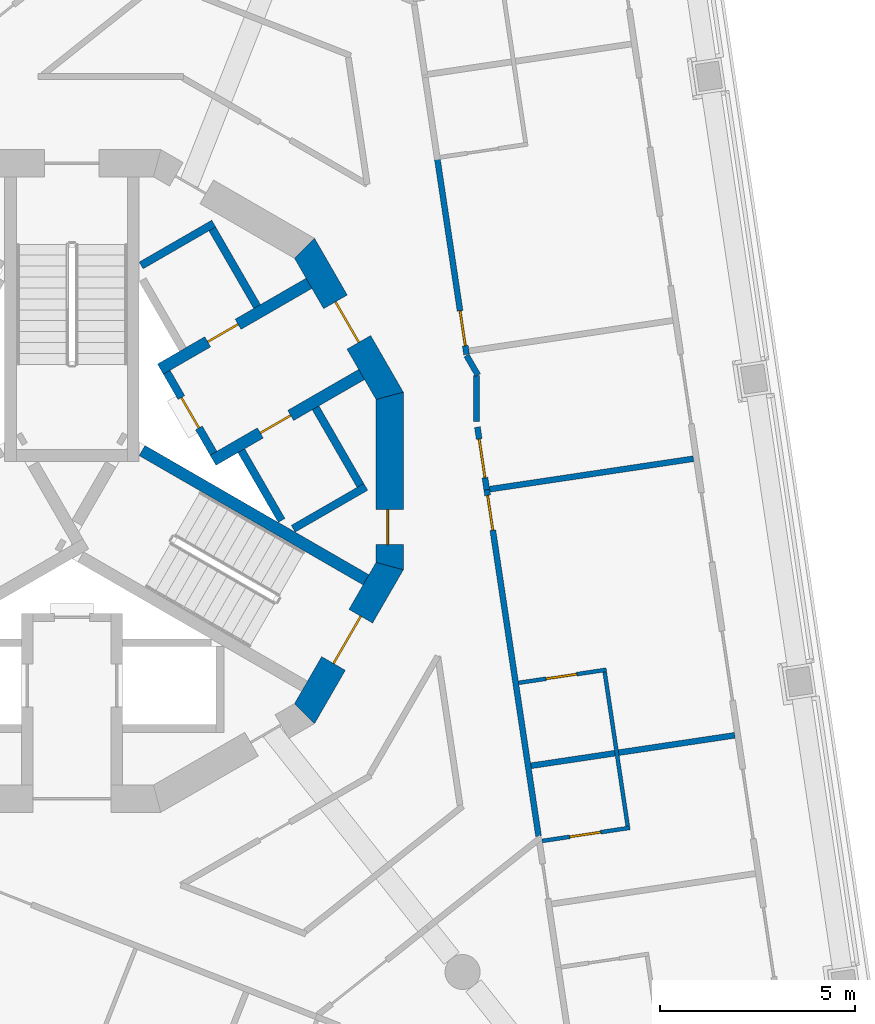
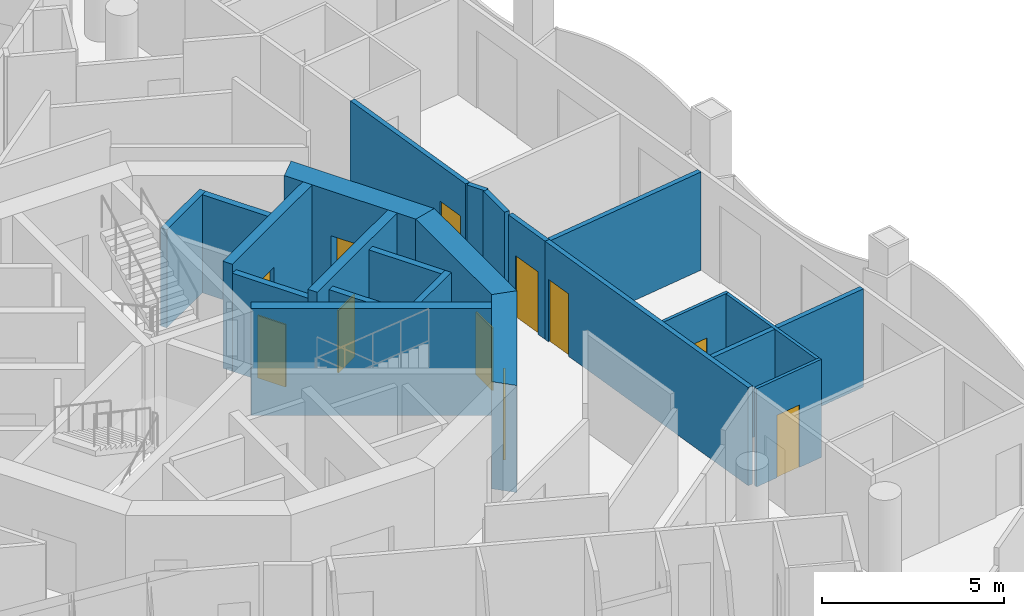
# One storey, part 6 of 16: 22 walls, 11 doors, 11 openings.
"""IFC4 building model written with IfcOpenShell, lengths in metres."""

import ifcopenshell
import ifcopenshell.guid

model = None  # the IFC model being written
_history = None  # IfcOwnerHistory: only IFC2X3 demands one
_inside = {}  # id of a spatial element -> (the spatial element, [elements in it])
_under = {}  # id of a project, library or spatial element -> (it, [spatial elements below it])
_declared = {}  # id of a project -> (the project, [libraries it declares])
_typed = {}  # id of a type object -> (the type object, [elements of that type])
_made_of = {}  # id of a material, layer set ... -> (it, [elements and type objects made of it])


def new_model(schema):
    """Start an empty IFC model of exactly this schema.

    Asked for "IFC4X3", IfcOpenShell would pick the latest addendum, in which some entities
    have other attributes; the version numbers below select the first issue.
    IFC2X3 requires an IfcOwnerHistory on every rooted entity: one is made here for all.
    """
    global model, _history
    if schema == "IFC4X3":
        model = ifcopenshell.file(schema_version=(4, 3, 0, 0))
    else:
        model = ifcopenshell.file(schema=schema)
    _inside.clear()
    _under.clear()
    _declared.clear()
    _typed.clear()
    _made_of.clear()
    _history = None
    if model.schema == "IFC2X3":
        org = make("IfcOrganization", Name="unknown")
        user = make(
            "IfcPersonAndOrganization",
            ThePerson=make("IfcPerson", FamilyName="unknown"),
            TheOrganization=org,
        )
        app = make(
            "IfcApplication",
            ApplicationDeveloper=org,
            Version="unknown",
            ApplicationFullName="unknown",
            ApplicationIdentifier="unknown",
        )
        _history = make(
            "IfcOwnerHistory",
            OwningUser=user,
            OwningApplication=app,
            ChangeAction="ADDED",
            CreationDate=0,
        )
    return model


def make(cls, **values):
    """One entity of the class cls with the attributes given. An attribute that is None is left unset."""
    return model.create_entity(
        cls, **{name: value for name, value in values.items() if value is not None}
    )


def rooted(cls, **values):
    """An entity with a GlobalId (a new one), such as an element, a storey or a relation."""
    return make(cls, GlobalId=ifcopenshell.guid.new(), OwnerHistory=_history, **values)


def si_unit(unit_type, name, prefix=None):
    """IfcSIUnit, for example si_unit("LENGTHUNIT", "METRE", prefix="MILLI")."""
    return make("IfcSIUnit", UnitType=unit_type, Prefix=prefix, Name=name)


def assignment(units):
    """IfcUnitAssignment: the units of a project."""
    return None if units is None else make("IfcUnitAssignment", Units=units)


def point(xyz):
    """IfcCartesianPoint."""
    return None if xyz is None else make("IfcCartesianPoint", Coordinates=xyz)


def direction(xyz):
    """IfcDirection."""
    return None if xyz is None else make("IfcDirection", DirectionRatios=xyz)


def frame(location, z_axis=None, x_axis=None):
    """IfcAxis2Placement3D, a coordinate frame: its origin and axes. An axis left out is left unset."""
    return make(
        "IfcAxis2Placement3D",
        Location=point(location),
        Axis=direction(z_axis),
        RefDirection=direction(x_axis),
    )


def frame_2d(location, x_axis=None):
    """IfcAxis2Placement2D, a coordinate frame in the plane: its origin and x axis."""
    return make(
        "IfcAxis2Placement2D", Location=point(location), RefDirection=direction(x_axis)
    )


def origin():
    """The frame at (0, 0, 0) with its axes left unset."""
    return frame((0.0, 0.0, 0.0))


def place(relative_to, where):
    """IfcLocalPlacement: puts the frame where relative to a parent placement (None: the world)."""
    return make(
        "IfcLocalPlacement", PlacementRelTo=relative_to, RelativePlacement=where
    )


def context(
    kind, dimensions, precision=None, world=None, true_north=None, identifier=None
):
    """IfcGeometricRepresentationContext, for example the 3D "Model" context."""
    return make(
        "IfcGeometricRepresentationContext",
        ContextIdentifier=identifier,
        ContextType=kind,
        CoordinateSpaceDimension=dimensions,
        Precision=precision,
        WorldCoordinateSystem=world,
        TrueNorth=true_north,
    )


def subcontext(parent, identifier, kind, view, scale=None):
    """IfcGeometricRepresentationSubContext, for example "Body" below "Model"."""
    return make(
        "IfcGeometricRepresentationSubContext",
        ContextIdentifier=identifier,
        ContextType=kind,
        ParentContext=parent,
        TargetScale=scale,
        TargetView=view,
    )


def project(units=None, contexts=None):
    """IfcProject with its units and contexts."""
    return rooted(
        "IfcProject",
        Name="project",
        RepresentationContexts=contexts,
        UnitsInContext=assignment(units),
    )


def spatial(cls, under=None, at=None, **own):
    """A site, building, storey or space (cls), placed at a placement, below another one or the project."""
    s = rooted(cls, ObjectPlacement=at, **own)
    if under is not None:
        _under.setdefault(under.id(), (under, []))[1].append(s)
    return s


def polyline(points):
    """IfcPolyline through the points."""
    return make("IfcPolyline", Points=[point(p) for p in points])


def profile(cls, at=None, kind="AREA", **sizes):
    """A parametric profile (cls). Its sizes go by their IFC names, for example OverallWidth=200.0."""
    return make(cls, ProfileType=kind, Position=at, **sizes)


def rectangle(**sizes):
    """IfcRectangleProfileDef."""
    return profile("IfcRectangleProfileDef", **sizes)


def outline(outer, holes=None, kind="AREA"):
    """IfcArbitraryClosedProfileDef: a profile drawn as a closed curve; with holes, ...WithVoids."""
    if holes is None:
        return make("IfcArbitraryClosedProfileDef", ProfileType=kind, OuterCurve=outer)
    return make(
        "IfcArbitraryProfileDefWithVoids",
        ProfileType=kind,
        OuterCurve=outer,
        InnerCurves=holes,
    )


def extrude(swept, where, along, depth):
    """IfcExtrudedAreaSolid: the profile swept, set in the frame where, extruded along a direction by depth."""
    return make(
        "IfcExtrudedAreaSolid",
        SweptArea=swept,
        Position=where,
        ExtrudedDirection=direction(along),
        Depth=depth,
    )


def shape(context_of_items, identifier, shape_type, items):
    """IfcShapeRepresentation: the items that make up one representation, for example the "Body"."""
    return make(
        "IfcShapeRepresentation",
        ContextOfItems=context_of_items,
        RepresentationIdentifier=identifier,
        RepresentationType=shape_type,
        Items=items,
    )


def material(Name=None, Category=None):
    """IfcMaterial."""
    return make("IfcMaterial", Name=Name, Category=Category)


def layer(
    of_material, thickness, ventilated=None, Name=None, Category=None, Priority=None
):
    """IfcMaterialLayer: one layer of a wall or slab, of a material (None: an air gap)."""
    return make(
        "IfcMaterialLayer",
        Material=of_material,
        LayerThickness=thickness,
        IsVentilated=ventilated,
        Name=Name,
        Category=Category,
        Priority=Priority,
    )


def layer_set(layers, Name=None):
    """IfcMaterialLayerSet."""
    return make("IfcMaterialLayerSet", MaterialLayers=layers, LayerSetName=Name)


def made_of(thing, what):
    """Note that an element or type object is made of a material, layer set ...; save() writes the relation."""
    if what is not None:
        _made_of.setdefault(what.id(), (what, []))[1].append(thing)
    return thing


def type_object(cls, material=None, **own):
    """A type object (cls), such as IfcWallType, which elements share."""
    return made_of(rooted(cls, **own), material)


def element(
    cls,
    number,
    at=None,
    inside=None,
    cuts=None,
    type_object=None,
    material=None,
    context=None,
    identifier="Body",
    shape_type=None,
    held_by="IfcProductDefinitionShape",
    body=None,
    shapes=None,
    **own,
):
    """One element of the class cls, such as IfcWall. Its Tag is "e" and its number.

    at: its placement. inside: the storey or other place that contains it. cuts: it is an
    opening in that element (IfcRelVoidsElement). A single representation is given by context,
    identifier, shape_type and body (its items); several are given by shapes. held_by: the class
    of the entity that holds the representations. save() writes the other relations.
    """
    e = rooted(cls, Tag="e%d" % number, ObjectPlacement=at, **own)
    if body is not None:
        shapes = [shape(context, identifier, shape_type, body)]
    if shapes is not None:
        e.Representation = make(held_by, Representations=shapes)
    if inside is not None:
        _inside.setdefault(inside.id(), (inside, []))[1].append(e)
    if cuts is not None:
        rooted(
            "IfcRelVoidsElement", RelatingBuildingElement=cuts, RelatedOpeningElement=e
        )
    if type_object is not None:
        _typed.setdefault(type_object.id(), (type_object, []))[1].append(e)
    return made_of(e, material)


def fill(opening, filler):
    """IfcRelFillsElement: the door or window that sits in an opening."""
    return rooted(
        "IfcRelFillsElement",
        RelatingOpeningElement=opening,
        RelatedBuildingElement=filler,
    )


def aggregate(whole, parts):
    """IfcRelAggregates: a whole, such as a stair, and the parts it consists of."""
    return rooted("IfcRelAggregates", RelatingObject=whole, RelatedObjects=parts)


def save(model, path):
    """Write the relations noted so far, then the file.

    IfcRelAggregates (storeys below a building ...), IfcRelContainedInSpatialStructure (elements
    in a storey), IfcRelDefinesByType, IfcRelAssociatesMaterial and IfcRelDeclares: one each for
    every whole, place, type object, material and project.
    """
    for whole, parts in _under.values():
        aggregate(whole, parts)
    for where, things in _inside.values():
        rooted(
            "IfcRelContainedInSpatialStructure",
            RelatedElements=things,
            RelatingStructure=where,
        )
    for kind, things in _typed.values():
        rooted("IfcRelDefinesByType", RelatedObjects=things, RelatingType=kind)
    for what, things in _made_of.values():
        rooted("IfcRelAssociatesMaterial", RelatedObjects=things, RelatingMaterial=what)
    for by, libraries in _declared.values():
        rooted("IfcRelDeclares", RelatingContext=by, RelatedDefinitions=libraries)
    model.write(path)


model = new_model("IFC4")

# Units and contexts
model_context = context("Model", 3, precision=1e-05, world=origin(), true_north=direction((0.0, 1.0)))
body_context = subcontext(model_context, "Body", "Model", "MODEL_VIEW")
ifc_project = project(units=[si_unit("LENGTHUNIT", "METRE"), si_unit("AREAUNIT", "SQUARE_METRE"), si_unit("VOLUMEUNIT", "CUBIC_METRE"), si_unit("PLANEANGLEUNIT", "RADIAN"), si_unit("MASSUNIT", "GRAM", prefix="KILO")], contexts=[model_context])

# Site, building, storey
site_placement = place(None, origin())
site = spatial("IfcSite", under=ifc_project, at=site_placement, CompositionType="ELEMENT")
building_placement = place(site_placement, origin())
building = spatial("IfcBuilding", under=site, at=building_placement, Name="Trine Commons Tower", CompositionType="ELEMENT")
storey_placement = place(building_placement, frame((0.0, 0.0, 201.60009765625)))
storey = spatial("IfcBuildingStorey", under=building, at=storey_placement, Name="L52", CompositionType="ELEMENT", Elevation=201.60009765625)

# Wall, opening, door
ifc_material_1 = material(Name="Fire-rated gypsum shaft wall system")
ifc_layer_1 = layer(ifc_material_1, 0.199951171875)
ifc_layer_set_1 = layer_set([ifc_layer_1], Name="Fire-rated gypsum shaft wall system")
wall_type_1 = type_object("IfcWallType", Name="Lobby end wall 200 mm, EI 120", PredefinedType="PARTITIONING", material=ifc_layer_set_1)
wall_1_placement = place(storey_placement, frame((83.631103515625, 63.2109375, 0.0), z_axis=(0.0, 0.0, 1.0), x_axis=(-0.50012165622, 0.865955154139, 0.0)))
wall_1 = element("IfcWall", 1, at=wall_1_placement, inside=storey, type_object=wall_type_1, Name="Lobby end wall L52", PredefinedType="PARTITIONING", context=body_context, shape_type="SweptSolid", body=[
    extrude(rectangle(XDim=2.39990234375, YDim=0.199951171875, at=frame_2d((1.199951171875, 0.0))), origin(), (0.0, 0.0, 1.0), 3.2998046875),
])
opening_1_placement = place(wall_1_placement, frame((0.749755859375, 0.0, 0.0)))
opening_1 = element("IfcOpeningElement", 2, at=opening_1_placement, cuts=wall_1, Name="Opening K16.05", PredefinedType="OPENING", context=body_context, shape_type="SweptSolid", body=[
    extrude(rectangle(XDim=0.89990234375, YDim=2.10009765625, at=frame_2d((0.449951171875, 1.050048828125))), frame((0.0, 0.10986328125, 0.0), z_axis=(0.0, -1.0, 0.0), x_axis=(1.0, 0.0, 0.0)), (0.0, 0.0, 1.0), 0.219970703125),
])
ifc_material_2 = material(Name="Steel door leaf, fire-rated", Category="steel")
door_type_1 = type_object("IfcDoorType", Name="Riser access door, single leaf 900 x 2100, FD60", OperationType="SINGLE_SWING_LEFT", PredefinedType="DOOR", material=ifc_material_2)
door_1_placement = place(opening_1_placement, frame((0.89990234375, 0.0, 0.0), z_axis=(0.0, 0.0, 1.0), x_axis=(-1.0, 0.0, 0.0)))
door_1 = element("IfcDoor", 3, at=door_1_placement, inside=storey, type_object=door_type_1, Name="Riser door, Electrical riser L52", OperationType="SINGLE_SWING_LEFT", OverallHeight=2.10009765625, OverallWidth=0.89990234375, PredefinedType="DOOR", context=body_context, shape_type="SweptSolid", body=[
    extrude(rectangle(XDim=0.89990234375, YDim=2.10009765625, at=frame_2d((0.449951171875, 1.050048828125))), frame((0.0, 0.02490234375, 0.0), z_axis=(0.0, -1.0, 0.0), x_axis=(1.0, 0.0, 0.0)), (0.0, 0.0, 1.0), 0.050048828125),
])
fill(opening_1, door_1)

ifc_material_3 = material(Name="Concrete C60/75", Category="concrete")
ifc_layer_2 = layer(ifc_material_3, 0.300048828125)
ifc_layer_set_2 = layer_set([ifc_layer_2], Name="Concrete C60/75")
wall_type_2 = type_object("IfcWallType", Name="RC shear wall 300 mm, C60/75", PredefinedType="SHEAR", material=ifc_layer_set_2)
wall_2_placement = place(storey_placement, frame((82.26904296875, 65.368896484375, 0.0), z_axis=(0.0, 0.0, 1.0), x_axis=(0.866035918664, 0.499981787252, 0.0)))
wall_2 = element("IfcWall", 4, at=wall_2_placement, inside=storey, type_object=wall_type_2, Name="Core cross wall SWC-05 L52", PredefinedType="SHEAR", context=body_context, shape_type="SweptSolid", body=[
    extrude(rectangle(XDim=4.400634765625, YDim=0.300048828125, at=frame_2d((2.2001953125, 0.0))), origin(), (0.0, 0.0, 1.0), 3.599853515625),
])
opening_2_placement = place(wall_2_placement, frame((1.400390625, 0.0, 0.0)))
opening_2 = element("IfcOpeningElement", 5, at=opening_2_placement, cuts=wall_2, Name="Opening K16.10", PredefinedType="OPENING", context=body_context, shape_type="SweptSolid", body=[
    extrude(rectangle(XDim=0.89990234375, YDim=2.10009765625, at=frame_2d((0.449951171875, 1.050048828125))), frame((0.0, 0.159912109375, 0.0), z_axis=(0.0, -1.0, 0.0), x_axis=(1.0, 0.0, 0.0)), (0.0, 0.0, 1.0), 0.320068359375),
])
door_type_2 = type_object("IfcDoorType", Name="Core room door, single leaf 900 x 2100, FD30S", OperationType="SINGLE_SWING_LEFT", PredefinedType="DOOR", material=ifc_material_2)
door_2_placement = place(opening_2_placement, origin())
door_2 = element("IfcDoor", 6, at=door_2_placement, inside=storey, type_object=door_type_2, Name="Door to Pantry L52", OperationType="SINGLE_SWING_LEFT", OverallHeight=2.10009765625, OverallWidth=0.89990234375, PredefinedType="DOOR", context=body_context, shape_type="SweptSolid", body=[
    extrude(rectangle(XDim=0.89990234375, YDim=2.10009765625, at=frame_2d((0.449951171875, 1.050048828125))), frame((0.0, 0.02490234375, 0.0), z_axis=(0.0, -1.0, 0.0), x_axis=(1.0, 0.0, 0.0)), (0.0, 0.0, 1.0), 0.050048828125),
])
fill(opening_2, door_2)

wall_3_placement = place(storey_placement, frame((83.618896484375, 63.031005859375, 0.0), z_axis=(0.0, 0.0, 1.0), x_axis=(0.866059941101, 0.499940174841, 0.0)))
wall_3 = element("IfcWall", 7, at=wall_3_placement, inside=storey, type_object=wall_type_2, Name="Core cross wall SWC-06 L52", PredefinedType="SHEAR", context=body_context, shape_type="SweptSolid", body=[
    extrude(rectangle(XDim=4.400390625, YDim=0.300048828125, at=frame_2d((2.2001953125, 0.0))), origin(), (0.0, 0.0, 1.0), 3.599853515625),
])
opening_3_placement = place(wall_3_placement, frame((1.400390625, 0.0, 0.0)))
opening_3 = element("IfcOpeningElement", 8, at=opening_3_placement, cuts=wall_3, Name="Opening K16.11", PredefinedType="OPENING", context=body_context, shape_type="SweptSolid", body=[
    extrude(rectangle(XDim=0.89990234375, YDim=2.10009765625, at=frame_2d((0.449951171875, 1.050048828125))), frame((0.0, 0.159912109375, 0.0), z_axis=(0.0, -1.0, 0.0), x_axis=(1.0, 0.0, 0.0)), (0.0, 0.0, 1.0), 0.320068359375),
])
door_3_placement = place(opening_3_placement, frame((0.89990234375, 0.0, 0.0), z_axis=(0.0, 0.0, 1.0), x_axis=(-1.0, 0.0, 0.0)))
door_3 = element("IfcDoor", 9, at=door_3_placement, inside=storey, type_object=door_type_2, Name="Door to Comms room L52", OperationType="SINGLE_SWING_LEFT", OverallHeight=2.10009765625, OverallWidth=0.89990234375, PredefinedType="DOOR", context=body_context, shape_type="SweptSolid", body=[
    extrude(rectangle(XDim=0.89990234375, YDim=2.10009765625, at=frame_2d((0.449951171875, 1.050048828125))), frame((0.0, 0.02490234375, 0.0), z_axis=(0.0, -1.0, 0.0), x_axis=(1.0, 0.0, 0.0)), (0.0, 0.0, 1.0), 0.050048828125),
])
fill(opening_3, door_3)

# Wall
wall_4_placement = place(storey_placement, frame((81.800048828125, 63.280029296875, 0.0), z_axis=(0.0, 0.0, 1.0), x_axis=(0.866009627307, -0.500027324665, 0.0)))
element("IfcWall", 10, at=wall_4_placement, inside=storey, type_object=wall_type_2, Name="Core cross wall SWC-18 L52", PredefinedType="SHEAR", context=body_context, shape_type="SweptSolid", body=[
    extrude(rectangle(XDim=6.631591796875, YDim=0.300048828125, at=frame_2d((3.31591796875, 0.0))), origin(), (0.0, 0.0, 1.0), 3.599853515625),
])

# Wall, opening, door
ifc_layer_3 = layer(ifc_material_3, 0.699951171875)
ifc_layer_set_3 = layer_set([ifc_layer_3], Name="Concrete C60/75")
wall_type_3 = type_object("IfcWallType", Name="RC shear wall 700 mm, C60/75", PredefinedType="SHEAR", material=ifc_layer_set_3)
wall_5_placement = place(storey_placement, frame((88.150146484375, 60.222412109375, 0.0), z_axis=(0.0, 0.0, 1.0), x_axis=(0.0, 1.0, 0.0)))
wall_5 = element("IfcWall", 11, at=wall_5_placement, inside=storey, type_object=wall_type_3, Name="Core wall CWF-01 L52", PredefinedType="SHEAR", context=body_context, shape_type="SweptSolid", body=[
    extrude(outline(polyline([(0.0, -0.35009765625), (4.55517578125, -0.35009765625), (4.36767578125, 0.35009765625), (0.1875, 0.35009765625), (0.0, -0.35009765625)])), origin(), (0.0, 0.0, 1.0), 3.599853515625),
])
opening_4_placement = place(wall_5_placement, frame((0.6416015625, 0.0, 0.0)))
opening_4 = element("IfcOpeningElement", 12, at=opening_4_placement, cuts=wall_5, Name="Opening K16.17", PredefinedType="OPENING", context=body_context, shape_type="SweptSolid", body=[
    extrude(rectangle(XDim=0.89990234375, YDim=2.10009765625, at=frame_2d((0.449951171875, 1.050048828125))), frame((0.0, 0.35986328125, 0.0), z_axis=(0.0, -1.0, 0.0), x_axis=(1.0, 0.0, 0.0)), (0.0, 0.0, 1.0), 0.719970703125),
])
door_4_placement = place(opening_4_placement, origin())
door_4 = element("IfcDoor", 13, at=door_4_placement, inside=storey, type_object=door_type_2, Name="Door to Accessible WC L52", OperationType="SINGLE_SWING_LEFT", OverallHeight=2.10009765625, OverallWidth=0.89990234375, PredefinedType="DOOR", context=body_context, shape_type="SweptSolid", body=[
    extrude(rectangle(XDim=0.89990234375, YDim=2.10009765625, at=frame_2d((0.449951171875, 1.050048828125))), frame((0.0, 0.0751953125, 0.0), z_axis=(0.0, -1.0, 0.0), x_axis=(1.0, 0.0, 0.0)), (0.0, 0.0, 1.0), 0.050048828125),
])
fill(opening_4, door_4)

wall_6_placement = place(storey_placement, frame((88.197021484375, 64.6025390625, 0.0), z_axis=(0.0, 0.0, 1.0), x_axis=(-0.499983800959, 0.866034756103, 0.0)))
wall_6 = element("IfcWall", 14, at=wall_6_placement, inside=storey, type_object=wall_type_3, Name="Core wall CWF-02 L52", PredefinedType="SHEAR", context=body_context, shape_type="SweptSolid", body=[
    extrude(outline(polyline([(0.0, -0.35009765625), (4.55517578125, -0.35009765625), (4.36767578125, 0.35009765625), (0.1875, 0.35009765625), (0.0, -0.35009765625)])), origin(), (0.0, 0.0, 1.0), 3.599853515625),
])
opening_5_placement = place(wall_6_placement, frame((1.677490234375, 0.0, 0.0)))
opening_5 = element("IfcOpeningElement", 15, at=opening_5_placement, cuts=wall_6, Name="Opening K16.04", PredefinedType="OPENING", context=body_context, shape_type="SweptSolid", body=[
    extrude(rectangle(XDim=1.199951171875, YDim=2.10009765625, at=frame_2d((0.60009765625, 1.050048828125))), frame((0.0, 0.35986328125, 0.0), z_axis=(0.0, -1.0, 0.0), x_axis=(1.0, 0.0, 0.0)), (0.0, 0.0, 1.0), 0.719970703125),
])
ifc_material_4 = material(Name="Steel door leaves, fire-rated", Category="steel")
door_type_3 = type_object("IfcDoorType", Name="Lobby door, double leaf 1200 x 2100, FD60", OperationType="DOUBLE_DOOR_SINGLE_SWING", PredefinedType="DOOR", material=ifc_material_4)
door_5_placement = place(opening_5_placement, origin())
door_5 = element("IfcDoor", 16, at=door_5_placement, inside=storey, type_object=door_type_3, Name="Lobby door, Core lounge L52", OperationType="DOUBLE_DOOR_SINGLE_SWING", OverallHeight=2.10009765625, OverallWidth=1.199951171875, PredefinedType="DOOR", context=body_context, shape_type="SweptSolid", body=[
    extrude(rectangle(XDim=1.199951171875, YDim=2.10009765625, at=frame_2d((0.60009765625, 1.050048828125))), frame((0.0, 0.02490234375, 0.0), z_axis=(0.0, -1.0, 0.0), x_axis=(1.0, 0.0, 0.0)), (0.0, 0.0, 1.0), 0.050048828125),
])
fill(opening_5, door_5)

wall_7_placement = place(storey_placement, frame((85.91943359375, 56.452392578125, 0.0), z_axis=(0.0, 0.0, 1.0), x_axis=(0.499983800959, 0.866034756103, 0.0)))
wall_7 = element("IfcWall", 17, at=wall_7_placement, inside=storey, type_object=wall_type_3, Name="Core wall CWF-12 L52", PredefinedType="SHEAR", context=body_context, shape_type="SweptSolid", body=[
    extrude(outline(polyline([(0.0, -0.35009765625), (4.55517578125, -0.35009765625), (4.36767578125, 0.35009765625), (0.1875, 0.35009765625), (0.0, -0.35009765625)])), origin(), (0.0, 0.0, 1.0), 3.599853515625),
])
opening_6_placement = place(wall_7_placement, frame((1.577392578125, 0.0, 0.0)))
opening_6 = element("IfcOpeningElement", 18, at=opening_6_placement, cuts=wall_7, Name="Opening K16.03", PredefinedType="OPENING", context=body_context, shape_type="SweptSolid", body=[
    extrude(rectangle(XDim=1.39990234375, YDim=2.10009765625, at=frame_2d((0.699951171875, 1.050048828125))), frame((0.0, 0.35986328125, 0.0), z_axis=(0.0, -1.0, 0.0), x_axis=(1.0, 0.0, 0.0)), (0.0, 0.0, 1.0), 0.719970703125),
])
door_type_4 = type_object("IfcDoorType", Name="Stair door, double leaf 1400 x 2100, FD90", OperationType="DOUBLE_DOOR_SINGLE_SWING", PredefinedType="DOOR", material=ifc_material_4)
door_6_placement = place(opening_6_placement, origin())
door_6 = element("IfcDoor", 19, at=door_6_placement, inside=storey, type_object=door_type_4, Name="Stair door to Exit stair ST3C L52", OperationType="DOUBLE_DOOR_SINGLE_SWING", OverallHeight=2.10009765625, OverallWidth=1.39990234375, PredefinedType="DOOR", context=body_context, shape_type="SweptSolid", body=[
    extrude(rectangle(XDim=1.39990234375, YDim=2.10009765625, at=frame_2d((0.699951171875, 1.050048828125))), frame((0.0, 0.02490234375, 0.0), z_axis=(0.0, -1.0, 0.0), x_axis=(1.0, 0.0, 0.0)), (0.0, 0.0, 1.0), 0.050048828125),
])
fill(opening_6, door_6)

# Walls
ifc_layer_4 = layer(ifc_material_1, 0.199951171875)
ifc_layer_set_4 = layer_set([ifc_layer_4], Name="Fire-rated gypsum shaft wall system")
wall_type_4 = type_object("IfcWallType", Name="Shaft wall 200 mm, EI 120", PredefinedType="PARTITIONING", material=ifc_layer_set_4)
wall_8_placement = place(storey_placement, frame((81.77490234375, 68.028076171875, 0.0), z_axis=(0.0, 0.0, 1.0), x_axis=(0.866130725101, 0.499817533742, 0.0)))
element("IfcWall", 20, at=wall_8_placement, inside=storey, type_object=wall_type_4, Name="Shaft wall L52", PredefinedType="PARTITIONING", context=body_context, shape_type="SweptSolid", body=[
    extrude(rectangle(XDim=2.148681640625, YDim=0.199951171875, at=frame_2d((1.07421875, 0.0))), origin(), (0.0, 0.0, 1.0), 3.2998046875),
])
wall_9_placement = place(storey_placement, frame((84.343994140625, 63.27587890625, 0.0), z_axis=(0.0, 0.0, 1.0), x_axis=(0.500271688072, -0.86586848777, 0.0)))
element("IfcWall", 21, at=wall_9_placement, inside=storey, type_object=wall_type_4, Name="Shaft wall L52", PredefinedType="PARTITIONING", context=body_context, shape_type="SweptSolid", body=[
    extrude(rectangle(XDim=2.064697265625, YDim=0.199951171875, at=frame_2d((1.0322265625, 0.0))), origin(), (0.0, 0.0, 1.0), 3.2998046875),
])
wall_10_placement = place(storey_placement, frame((84.7490234375, 66.97412109375, 0.0), z_axis=(0.0, 0.0, 1.0), x_axis=(-0.500136062276, 0.86594683394, 0.0)))
element("IfcWall", 22, at=wall_10_placement, inside=storey, type_object=wall_type_4, Name="Shaft wall L52", PredefinedType="PARTITIONING", context=body_context, shape_type="SweptSolid", body=[
    extrude(rectangle(XDim=2.299072265625, YDim=0.199951171875, at=frame_2d((1.1494140625, 0.0))), origin(), (0.0, 0.0, 1.0), 3.2998046875),
])
wall_11_placement = place(storey_placement, frame((85.675048828125, 61.27392578125, 0.0), z_axis=(0.0, 0.0, 1.0), x_axis=(0.866102336459, 0.499866725018, 0.0)))
element("IfcWall", 23, at=wall_11_placement, inside=storey, type_object=wall_type_4, Name="Shaft wall L52", PredefinedType="PARTITIONING", context=body_context, shape_type="SweptSolid", body=[
    extrude(rectangle(XDim=2.1484375, YDim=0.199951171875, at=frame_2d((1.07421875, 0.0))), origin(), (0.0, 0.0, 1.0), 3.2998046875),
])
wall_12_placement = place(storey_placement, frame((86.2490234375, 64.3759765625, 0.0), z_axis=(0.0, 0.0, 1.0), x_axis=(0.500136062276, -0.86594683394, 0.0)))
element("IfcWall", 24, at=wall_12_placement, inside=storey, type_object=wall_type_4, Name="Shaft wall L52", PredefinedType="PARTITIONING", context=body_context, shape_type="SweptSolid", body=[
    extrude(rectangle(XDim=2.299072265625, YDim=0.199951171875, at=frame_2d((1.1494140625, 0.0))), origin(), (0.0, 0.0, 1.0), 3.2998046875),
])

# Wall, opening, door
ifc_material_5 = material(Name="Gypsum plasterboard on steel stud", Category="steel")
ifc_layer_5 = layer(ifc_material_5, 0.14990234375)
ifc_layer_set_5 = layer_set([ifc_layer_5], Name="Gypsum plasterboard on steel stud")
wall_type_5 = type_object("IfcWallType", Name="Unit and corridor wall 150 mm, EI 60", PredefinedType="PARTITIONING", material=ifc_layer_set_5)
wall_13_placement = place(storey_placement, frame((89.366943359375, 70.794921875, 0.0), z_axis=(0.0, 0.0, 1.0), x_axis=(0.147912499189, -0.989000451256, 0.0)))
wall_13 = element("IfcWall", 25, at=wall_13_placement, inside=storey, type_object=wall_type_5, Name="Partition 101", PredefinedType="PARTITIONING", context=body_context, shape_type="SweptSolid", body=[
    extrude(rectangle(XDim=5.105224609375, YDim=0.14990234375, at=frame_2d((2.552734375, 0.0))), origin(), (0.0, 0.0, 1.0), 3.2998046875),
])
opening_7_placement = place(wall_13_placement, frame((3.976318359375, 0.0, 0.0)))
opening_7 = element("IfcOpeningElement", 26, at=opening_7_placement, cuts=wall_13, Name="Opening D-6A15", PredefinedType="OPENING", context=body_context, shape_type="SweptSolid", body=[
    extrude(rectangle(XDim=0.89990234375, YDim=2.10009765625, at=frame_2d((0.449951171875, 1.050048828125))), frame((0.0, 0.0849609375, 0.0), z_axis=(0.0, -1.0, 0.0), x_axis=(1.0, 0.0, 0.0)), (0.0, 0.0, 1.0), 0.169921875),
])
ifc_material_6 = material(Name="Timber fire door set", Category="wood")
door_type_5 = type_object("IfcDoorType", Name="Bedroom door 900 x 2100, FD30S", OperationType="NOTDEFINED", PredefinedType="DOOR", material=ifc_material_6)
door_7_placement = place(opening_7_placement, origin())
door_7 = element("IfcDoor", 27, at=door_7_placement, inside=storey, type_object=door_type_5, Name="Door D-6A15", OperationType="SINGLE_SWING_RIGHT", OverallHeight=2.10009765625, OverallWidth=0.89990234375, PredefinedType="DOOR", context=body_context, shape_type="SweptSolid", body=[
    extrude(rectangle(XDim=0.89990234375, YDim=2.10009765625, at=frame_2d((0.449951171875, 1.050048828125))), frame((0.0, 0.02490234375, 0.0), z_axis=(0.0, -1.0, 0.0), x_axis=(1.0, 0.0, 0.0)), (0.0, 0.0, 1.0), 0.050048828125),
])
fill(opening_7, door_7)

# Walls
wall_14_placement = place(storey_placement, frame((90.12109375, 65.718994140625, 0.0), z_axis=(0.0, 0.0, 1.0), x_axis=(0.500738673164, -0.865598510395, 0.0)))
element("IfcWall", 28, at=wall_14_placement, inside=storey, type_object=wall_type_5, Name="Partition 105", PredefinedType="PARTITIONING", context=body_context, shape_type="SweptSolid", body=[
    extrude(rectangle(XDim=0.58203125, YDim=0.14990234375, at=frame_2d((0.291015625, 0.0))), origin(), (0.0, 0.0, 1.0), 3.2998046875),
])
wall_15_placement = place(storey_placement, frame((90.375, 64.02294921875, 0.0), z_axis=(0.0, 0.0, 1.0), x_axis=(0.0, 1.0, 0.0)))
element("IfcWall", 29, at=wall_15_placement, inside=storey, type_object=wall_type_5, Name="Partition 109", PredefinedType="PARTITIONING", context=body_context, shape_type="SweptSolid", body=[
    extrude(rectangle(XDim=1.18212890625, YDim=0.14990234375, at=frame_2d((0.591064453125, 0.0))), origin(), (0.0, 0.0, 1.0), 3.2998046875),
])

# Wall, opening, door
wall_16_placement = place(storey_placement, frame((90.39990234375, 63.882080078125, 0.0), z_axis=(0.0, 0.0, 1.0), x_axis=(0.147511205878, -0.989060384476, 0.0)))
wall_16 = element("IfcWall", 30, at=wall_16_placement, inside=storey, type_object=wall_type_5, Name="Partition 110", PredefinedType="PARTITIONING", context=body_context, shape_type="SweptSolid", body=[
    extrude(rectangle(XDim=1.626953125, YDim=0.14990234375, at=frame_2d((0.8134765625, 0.0))), origin(), (0.0, 0.0, 1.0), 3.2998046875),
])
opening_8_placement = place(wall_16_placement, frame((0.311279296875, 0.0, 0.0)))
opening_8 = element("IfcOpeningElement", 31, at=opening_8_placement, cuts=wall_16, Name="Opening D-6A16", PredefinedType="OPENING", context=body_context, shape_type="SweptSolid", body=[
    extrude(rectangle(XDim=1.0, YDim=2.10009765625, at=frame_2d((0.5, 1.050048828125))), frame((0.0, 0.0849609375, 0.0), z_axis=(0.0, -1.0, 0.0), x_axis=(1.0, 0.0, 0.0)), (0.0, 0.0, 1.0), 0.169921875),
])
ifc_material_7 = material(Name="Painted timber", Category="wood")
door_type_6 = type_object("IfcDoorType", Name="Amenity room door 1000 x 2100, NOT RATED", OperationType="NOTDEFINED", PredefinedType="DOOR", material=ifc_material_7)
door_8_placement = place(opening_8_placement, origin())
door_8 = element("IfcDoor", 32, at=door_8_placement, inside=storey, type_object=door_type_6, Name="Door D-6A16", OperationType="SINGLE_SWING_LEFT", OverallHeight=2.10009765625, OverallWidth=1.0, PredefinedType="DOOR", context=body_context, shape_type="SweptSolid", body=[
    extrude(rectangle(XDim=1.0, YDim=2.10009765625, at=frame_2d((0.5, 1.050048828125))), frame((0.0, 0.02490234375, 0.0), z_axis=(0.0, -1.0, 0.0), x_axis=(1.0, 0.0, 0.0)), (0.0, 0.0, 1.0), 0.050048828125),
])
fill(opening_8, door_8)

wall_17_placement = place(storey_placement, frame((90.6279296875, 62.355224609375, 0.0), z_axis=(0.0, 0.0, 1.0), x_axis=(0.147851766837, -0.989009532332, 0.0)))
wall_17 = element("IfcWall", 33, at=wall_17_placement, inside=storey, type_object=wall_type_5, Name="Partition 111", PredefinedType="PARTITIONING", context=body_context, shape_type="SweptSolid", body=[
    extrude(rectangle(XDim=9.063720703125, YDim=0.14990234375, at=frame_2d((4.53173828125, 0.0))), origin(), (0.0, 0.0, 1.0), 3.2998046875),
])
opening_9_placement = place(wall_17_placement, frame((0.22900390625, 0.0, 0.0)))
opening_9 = element("IfcOpeningElement", 34, at=opening_9_placement, cuts=wall_17, Name="Opening D-6A17", PredefinedType="OPENING", context=body_context, shape_type="SweptSolid", body=[
    extrude(rectangle(XDim=0.89990234375, YDim=2.10009765625, at=frame_2d((0.449951171875, 1.050048828125))), frame((0.0, 0.0849609375, 0.0), z_axis=(0.0, -1.0, 0.0), x_axis=(1.0, 0.0, 0.0)), (0.0, 0.0, 1.0), 0.169921875),
])
door_9_placement = place(opening_9_placement, origin())
door_9 = element("IfcDoor", 35, at=door_9_placement, inside=storey, type_object=door_type_5, Name="Door D-6A17", OperationType="SINGLE_SWING_LEFT", OverallHeight=2.10009765625, OverallWidth=0.89990234375, PredefinedType="DOOR", context=body_context, shape_type="SweptSolid", body=[
    extrude(rectangle(XDim=0.89990234375, YDim=2.10009765625, at=frame_2d((0.449951171875, 1.050048828125))), frame((0.0, 0.02490234375, 0.0), z_axis=(0.0, -1.0, 0.0), x_axis=(1.0, 0.0, 0.0)), (0.0, 0.0, 1.0), 0.050048828125),
])
fill(opening_9, door_9)

# Walls
for number, where, z_axis, x_axis, name in (
    (36, (90.714111328125, 62.2880859375, 0.0), (0.0, 0.0, 1.0), (0.988994889639, 0.147949681543, 0.0), "Partition 112"),
    (37, (91.774169921875, 55.195068359375, 0.0), (0.0, 0.0, 1.0), (0.98902190879, 0.147768954566, 0.0), "Partition 115"),
):
    element("IfcWall", number, at=place(storey_placement, frame(where, z_axis=z_axis, x_axis=x_axis)), inside=storey, type_object=wall_type_5, Name=name, PredefinedType="PARTITIONING", context=body_context, shape_type="SweptSolid", body=[
        extrude(rectangle(XDim=5.285400390625, YDim=0.14990234375, at=frame_2d((2.642578125, 0.0))), origin(), (0.0, 0.0, 1.0), 3.2998046875),
    ])

# Wall, opening, door
ifc_layer_6 = layer(ifc_material_5, 0.10009765625)
ifc_layer_set_6 = layer_set([ifc_layer_6], Name="Gypsum plasterboard on steel stud")
wall_type_6 = type_object("IfcWallType", Name="Unit partition 100 mm, no rating", PredefinedType="PARTITIONING", material=ifc_layer_set_6)
wall_18_placement = place(storey_placement, frame((91.456298828125, 57.322021484375, 0.0), z_axis=(0.0, 0.0, 1.0), x_axis=(0.989070541656, 0.147443086062, 0.0)))
wall_18 = element("IfcWall", 38, at=wall_18_placement, inside=storey, type_object=wall_type_6, Name="Partition 114", PredefinedType="PARTITIONING", context=body_context, shape_type="SweptSolid", body=[
    extrude(rectangle(XDim=2.275146484375, YDim=0.10009765625, at=frame_2d((1.1376953125, 0.0))), origin(), (0.0, 0.0, 1.0), 3.2998046875),
])
opening_10_placement = place(wall_18_placement, frame((0.712646484375, 0.0, 0.0)))
opening_10 = element("IfcOpeningElement", 39, at=opening_10_placement, cuts=wall_18, Name="Opening D-6A37", PredefinedType="OPENING", context=body_context, shape_type="SweptSolid", body=[
    extrude(rectangle(XDim=0.800048828125, YDim=2.10009765625, at=frame_2d((0.39990234375, 1.050048828125))), frame((0.0, 0.06005859375, 0.0), z_axis=(0.0, -1.0, 0.0), x_axis=(1.0, 0.0, 0.0)), (0.0, 0.0, 1.0), 0.1201171875),
])
door_type_7 = type_object("IfcDoorType", Name="Internal door 800 x 2100, NOT RATED", OperationType="NOTDEFINED", PredefinedType="DOOR", material=ifc_material_7)
door_10_placement = place(opening_10_placement, origin())
door_10 = element("IfcDoor", 40, at=door_10_placement, inside=storey, type_object=door_type_7, Name="Door D-6A37", OperationType="SINGLE_SWING_LEFT", OverallHeight=2.10009765625, OverallWidth=0.800048828125, PredefinedType="DOOR", context=body_context, shape_type="SweptSolid", body=[
    extrude(rectangle(XDim=0.800048828125, YDim=2.10009765625, at=frame_2d((0.39990234375, 1.050048828125))), frame((0.0, 0.02490234375, 0.0), z_axis=(0.0, -1.0, 0.0), x_axis=(1.0, 0.0, 0.0)), (0.0, 0.0, 1.0), 0.050048828125),
])
fill(opening_10, door_10)

wall_19_placement = place(storey_placement, frame((92.063232421875, 53.26708984375, 0.0), z_axis=(0.0, 0.0, 1.0), x_axis=(0.988998470103, 0.147925745338, 0.0)))
wall_19 = element("IfcWall", 41, at=wall_19_placement, inside=storey, type_object=wall_type_6, Name="Partition 117", PredefinedType="PARTITIONING", context=body_context, shape_type="SweptSolid", body=[
    extrude(rectangle(XDim=2.274169921875, YDim=0.10009765625, at=frame_2d((1.13720703125, 0.0))), origin(), (0.0, 0.0, 1.0), 3.2998046875),
])
opening_11_placement = place(wall_19_placement, frame((0.712158203125, 0.0, 0.0)))
opening_11 = element("IfcOpeningElement", 42, at=opening_11_placement, cuts=wall_19, Name="Opening D-6A38", PredefinedType="OPENING", context=body_context, shape_type="SweptSolid", body=[
    extrude(rectangle(XDim=0.800048828125, YDim=2.10009765625, at=frame_2d((0.39990234375, 1.050048828125))), frame((0.0, 0.06005859375, 0.0), z_axis=(0.0, -1.0, 0.0), x_axis=(1.0, 0.0, 0.0)), (0.0, 0.0, 1.0), 0.1201171875),
])
door_11_placement = place(opening_11_placement, frame((0.800048828125, 0.0, 0.0), z_axis=(0.0, 0.0, 1.0), x_axis=(-1.0, 0.0, 0.0)))
door_11 = element("IfcDoor", 43, at=door_11_placement, inside=storey, type_object=door_type_7, Name="Door D-6A38", OperationType="SINGLE_SWING_RIGHT", OverallHeight=2.10009765625, OverallWidth=0.800048828125, PredefinedType="DOOR", context=body_context, shape_type="SweptSolid", body=[
    extrude(rectangle(XDim=0.800048828125, YDim=2.10009765625, at=frame_2d((0.39990234375, 1.050048828125))), frame((0.0, 0.02490234375, 0.0), z_axis=(0.0, -1.0, 0.0), x_axis=(1.0, 0.0, 0.0)), (0.0, 0.0, 1.0), 0.050048828125),
])
fill(opening_11, door_11)

# Wall
wall_20_placement = place(storey_placement, frame((93.664306640625, 57.6005859375, 0.0), z_axis=(0.0, 0.0, 1.0), x_axis=(0.147862783837, -0.989007885285, 0.0)))
element("IfcWall", 44, at=wall_20_placement, inside=storey, type_object=wall_type_6, Name="Partition 122", PredefinedType="PARTITIONING", context=body_context, shape_type="SweptSolid", body=[
    extrude(rectangle(XDim=3.9990234375, YDim=0.10009765625, at=frame_2d((1.99951171875, 0.0))), origin(), (0.0, 0.0, 1.0), 3.2998046875),
])

save(model, "model.ifc")
